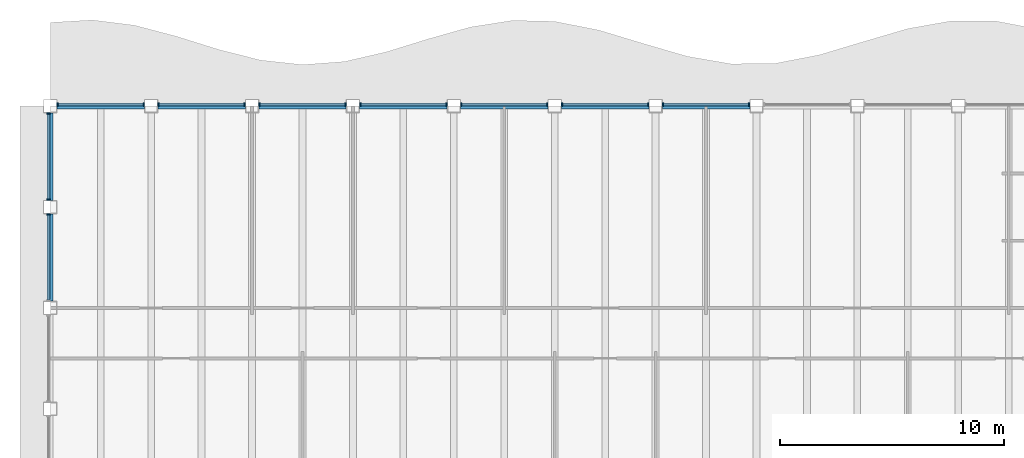
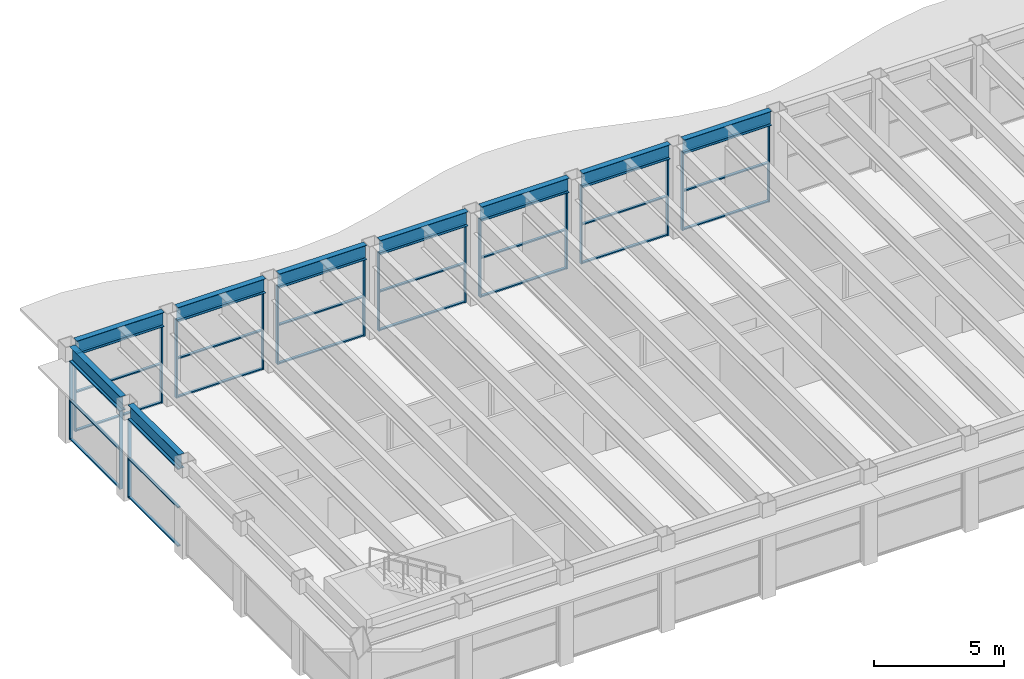
# One storey, part 4 of 15: 44 members, 9 beams, 9 elements without a shape of their own.
"""IFC4 building model written with IfcOpenShell, lengths in metres."""

from ifc_helpers import new_model, si_unit, direction, frame, origin, origin_2d, place, context, subcontext, project, spatial, rectangle, i_section, extrude, material, material_profile, profile_set, type_object, element, aggregate, save


model = new_model("IFC4")

# Units and contexts
model_context = context("Model", 3, precision=1e-05, world=origin(), true_north=direction((0.0, 1.0)))
body_context = subcontext(model_context, "Body", "Model", "MODEL_VIEW")
ifc_project = project(units=[si_unit("LENGTHUNIT", "METRE"), si_unit("AREAUNIT", "SQUARE_METRE"), si_unit("VOLUMEUNIT", "CUBIC_METRE"), si_unit("PLANEANGLEUNIT", "RADIAN"), si_unit("MASSUNIT", "GRAM", prefix="KILO")], contexts=[model_context])

# Site, building, storey
site_placement = place(None, origin())
site = spatial("IfcSite", under=ifc_project, at=site_placement, CompositionType="ELEMENT")
building_placement = place(site_placement, origin())
building = spatial("IfcBuilding", under=site, at=building_placement, Name="Sennacour Bend Tower", CompositionType="ELEMENT")
storey_placement = place(building_placement, frame((0.0, 0.0, 318.5)))
storey = spatial("IfcBuildingStorey", under=building, at=storey_placement, Name="L73", CompositionType="ELEMENT", Elevation=318.5)

# Curtain wall, members
ifc_material_1 = material(Name="Bronze anodised aluminium curtain wall with clear glass", Category="aluminium")
curtain_wall_type = type_object("IfcCurtainWallType", Name="CURTAIN WALL EXEC", PredefinedType="NOTDEFINED", material=ifc_material_1)
curtain_wall_1_placement = place(storey_placement, origin())
curtain_wall_1 = element("IfcCurtainWall", 1, at=curtain_wall_1_placement, inside=storey, type_object=curtain_wall_type, Name="Executive floor glass wall L73", PredefinedType="NOTDEFINED")
ifc_material_2 = material(Name="Aluminium 6063-T6", Category="aluminium")
ifc_material_profile_1 = material_profile(ifc_material_2, rectangle(XDim=0.14990234375, YDim=0.06005859375, at=origin_2d()), Name="Aluminium 6063-T6", Category="aluminium")
ifc_profile_set_1 = profile_set([ifc_material_profile_1], Name="Aluminium 6063-T6")
member_type_1 = type_object("IfcMemberType", Name="CW-MULLION-150X60", PredefinedType="MULLION", material=ifc_profile_set_1)
member_1_placement = place(storey_placement, frame((31.169921875, 22.574951171875, 0.0), z_axis=(0.0, 0.0, 1.0), x_axis=(0.0, -1.0, 0.0)))
member_1 = element("IfcMember", 2, at=member_1_placement, type_object=member_type_1, Name="GW3 curtain wall mullion 1", PredefinedType="MULLION", context=body_context, shape_type="SweptSolid", body=[
    extrude(rectangle(XDim=0.14990234375, YDim=0.06005859375, at=origin_2d()), origin(), (0.0, 0.0, 1.0), 3.672119140625),
])
member_2_placement = place(storey_placement, frame((27.330078125, 22.574951171875, 0.0), z_axis=(0.0, 0.0, 1.0), x_axis=(0.0, -1.0, 0.0)))
member_2 = element("IfcMember", 3, at=member_2_placement, type_object=member_type_1, Name="GW3 curtain wall mullion 2", PredefinedType="MULLION", context=body_context, shape_type="SweptSolid", body=[
    extrude(rectangle(XDim=0.14990234375, YDim=0.06005859375, at=origin_2d()), origin(), (0.0, 0.0, 1.0), 3.672119140625),
])

curtain_wall_2_placement = place(storey_placement, origin())
curtain_wall_2 = element("IfcCurtainWall", 4, at=curtain_wall_2_placement, inside=storey, type_object=curtain_wall_type, Name="Executive floor glass wall L73", PredefinedType="NOTDEFINED")
member_3_placement = place(storey_placement, frame((26.669921875, 22.574951171875, 0.0), z_axis=(0.0, 0.0, 1.0), x_axis=(0.0, -1.0, 0.0)))
member_3 = element("IfcMember", 5, at=member_3_placement, type_object=member_type_1, Name="GW3 curtain wall mullion 1", PredefinedType="MULLION", context=body_context, shape_type="SweptSolid", body=[
    extrude(rectangle(XDim=0.14990234375, YDim=0.06005859375, at=origin_2d()), origin(), (0.0, 0.0, 1.0), 3.672119140625),
])
member_4_placement = place(storey_placement, frame((22.830078125, 22.574951171875, 0.0), z_axis=(0.0, 0.0, 1.0), x_axis=(0.0, -1.0, 0.0)))
member_4 = element("IfcMember", 6, at=member_4_placement, type_object=member_type_1, Name="GW3 curtain wall mullion 2", PredefinedType="MULLION", context=body_context, shape_type="SweptSolid", body=[
    extrude(rectangle(XDim=0.14990234375, YDim=0.06005859375, at=origin_2d()), origin(), (0.0, 0.0, 1.0), 3.672119140625),
])

curtain_wall_3_placement = place(storey_placement, origin())
curtain_wall_3 = element("IfcCurtainWall", 7, at=curtain_wall_3_placement, inside=storey, type_object=curtain_wall_type, Name="Executive floor glass wall L73", PredefinedType="NOTDEFINED")
member_5_placement = place(storey_placement, frame((22.169921875, 22.574951171875, 0.0), z_axis=(0.0, 0.0, 1.0), x_axis=(0.0, -1.0, 0.0)))
member_5 = element("IfcMember", 8, at=member_5_placement, type_object=member_type_1, Name="GW3 curtain wall mullion 1", PredefinedType="MULLION", context=body_context, shape_type="SweptSolid", body=[
    extrude(rectangle(XDim=0.14990234375, YDim=0.06005859375, at=origin_2d()), origin(), (0.0, 0.0, 1.0), 3.672119140625),
])
member_6_placement = place(storey_placement, frame((18.330078125, 22.574951171875, 0.0), z_axis=(0.0, 0.0, 1.0), x_axis=(0.0, -1.0, 0.0)))
member_6 = element("IfcMember", 9, at=member_6_placement, type_object=member_type_1, Name="GW3 curtain wall mullion 2", PredefinedType="MULLION", context=body_context, shape_type="SweptSolid", body=[
    extrude(rectangle(XDim=0.14990234375, YDim=0.06005859375, at=origin_2d()), origin(), (0.0, 0.0, 1.0), 3.672119140625),
])

curtain_wall_4_placement = place(storey_placement, origin())
curtain_wall_4 = element("IfcCurtainWall", 10, at=curtain_wall_4_placement, inside=storey, type_object=curtain_wall_type, Name="Executive floor glass wall L73", PredefinedType="NOTDEFINED")
member_7_placement = place(storey_placement, frame((17.669921875, 22.574951171875, 0.0), z_axis=(0.0, 0.0, 1.0), x_axis=(0.0, -1.0, 0.0)))
member_7 = element("IfcMember", 11, at=member_7_placement, type_object=member_type_1, Name="GW3 curtain wall mullion 1", PredefinedType="MULLION", context=body_context, shape_type="SweptSolid", body=[
    extrude(rectangle(XDim=0.14990234375, YDim=0.06005859375, at=origin_2d()), origin(), (0.0, 0.0, 1.0), 3.672119140625),
])
member_8_placement = place(storey_placement, frame((13.830078125, 22.574951171875, 0.0), z_axis=(0.0, 0.0, 1.0), x_axis=(0.0, -1.0, 0.0)))
member_8 = element("IfcMember", 12, at=member_8_placement, type_object=member_type_1, Name="GW3 curtain wall mullion 2", PredefinedType="MULLION", context=body_context, shape_type="SweptSolid", body=[
    extrude(rectangle(XDim=0.14990234375, YDim=0.06005859375, at=origin_2d()), origin(), (0.0, 0.0, 1.0), 3.672119140625),
])

curtain_wall_5_placement = place(storey_placement, origin())
curtain_wall_5 = element("IfcCurtainWall", 13, at=curtain_wall_5_placement, inside=storey, type_object=curtain_wall_type, Name="Executive floor glass wall L73", PredefinedType="NOTDEFINED")
member_9_placement = place(storey_placement, frame((13.169921875, 22.574951171875, 0.0), z_axis=(0.0, 0.0, 1.0), x_axis=(0.0, -1.0, 0.0)))
member_9 = element("IfcMember", 14, at=member_9_placement, type_object=member_type_1, Name="GW3 curtain wall mullion 1", PredefinedType="MULLION", context=body_context, shape_type="SweptSolid", body=[
    extrude(rectangle(XDim=0.14990234375, YDim=0.06005859375, at=origin_2d()), origin(), (0.0, 0.0, 1.0), 3.672119140625),
])
member_10_placement = place(storey_placement, frame((9.330078125, 22.574951171875, 0.0), z_axis=(0.0, 0.0, 1.0), x_axis=(0.0, -1.0, 0.0)))
member_10 = element("IfcMember", 15, at=member_10_placement, type_object=member_type_1, Name="GW3 curtain wall mullion 2", PredefinedType="MULLION", context=body_context, shape_type="SweptSolid", body=[
    extrude(rectangle(XDim=0.14990234375, YDim=0.06005859375, at=origin_2d()), origin(), (0.0, 0.0, 1.0), 3.672119140625),
])

curtain_wall_6_placement = place(storey_placement, origin())
curtain_wall_6 = element("IfcCurtainWall", 16, at=curtain_wall_6_placement, inside=storey, type_object=curtain_wall_type, Name="Executive floor glass wall L73", PredefinedType="NOTDEFINED")
member_11_placement = place(storey_placement, frame((8.669921875, 22.574951171875, 0.0), z_axis=(0.0, 0.0, 1.0), x_axis=(0.0, -1.0, 0.0)))
member_11 = element("IfcMember", 17, at=member_11_placement, type_object=member_type_1, Name="GW3 curtain wall mullion 1", PredefinedType="MULLION", context=body_context, shape_type="SweptSolid", body=[
    extrude(rectangle(XDim=0.14990234375, YDim=0.06005859375, at=origin_2d()), origin(), (0.0, 0.0, 1.0), 3.672119140625),
])
member_12_placement = place(storey_placement, frame((4.830078125, 22.574951171875, 0.0), z_axis=(0.0, 0.0, 1.0), x_axis=(0.0, -1.0, 0.0)))
member_12 = element("IfcMember", 18, at=member_12_placement, type_object=member_type_1, Name="GW3 curtain wall mullion 2", PredefinedType="MULLION", context=body_context, shape_type="SweptSolid", body=[
    extrude(rectangle(XDim=0.14990234375, YDim=0.06005859375, at=origin_2d()), origin(), (0.0, 0.0, 1.0), 3.672119140625),
])

curtain_wall_7_placement = place(storey_placement, origin())
curtain_wall_7 = element("IfcCurtainWall", 19, at=curtain_wall_7_placement, inside=storey, type_object=curtain_wall_type, Name="Executive floor glass wall L73", PredefinedType="NOTDEFINED")
member_13_placement = place(storey_placement, frame((4.169921875, 22.574951171875, 0.0), z_axis=(0.0, 0.0, 1.0), x_axis=(0.0, -1.0, 0.0)))
member_13 = element("IfcMember", 20, at=member_13_placement, type_object=member_type_1, Name="GW3 curtain wall mullion 1", PredefinedType="MULLION", context=body_context, shape_type="SweptSolid", body=[
    extrude(rectangle(XDim=0.14990234375, YDim=0.06005859375, at=origin_2d()), origin(), (0.0, 0.0, 1.0), 3.672119140625),
])
member_14_placement = place(storey_placement, frame((0.330078125, 22.574951171875, 0.0), z_axis=(0.0, 0.0, 1.0), x_axis=(0.0, -1.0, 0.0)))
member_14 = element("IfcMember", 21, at=member_14_placement, type_object=member_type_1, Name="GW3 curtain wall mullion 2", PredefinedType="MULLION", context=body_context, shape_type="SweptSolid", body=[
    extrude(rectangle(XDim=0.14990234375, YDim=0.06005859375, at=origin_2d()), origin(), (0.0, 0.0, 1.0), 3.672119140625),
])

curtain_wall_8_placement = place(storey_placement, origin())
curtain_wall_8 = element("IfcCurtainWall", 22, at=curtain_wall_8_placement, inside=storey, type_object=curtain_wall_type, Name="Executive floor glass wall L73", PredefinedType="NOTDEFINED")
member_15_placement = place(storey_placement, frame((-0.074951171875, 22.169921875, 0.0), z_axis=(0.0, 0.0, 1.0), x_axis=(1.0, 0.0, 0.0)))
member_15 = element("IfcMember", 23, at=member_15_placement, type_object=member_type_1, Name="GW3 curtain wall mullion 1", PredefinedType="MULLION", context=body_context, shape_type="SweptSolid", body=[
    extrude(rectangle(XDim=0.14990234375, YDim=0.06005859375, at=origin_2d()), origin(), (0.0, 0.0, 1.0), 3.672119140625),
])
member_16_placement = place(storey_placement, frame((-0.074951171875, 18.330078125, 0.0), z_axis=(0.0, 0.0, 1.0), x_axis=(1.0, 0.0, 0.0)))
member_16 = element("IfcMember", 24, at=member_16_placement, type_object=member_type_1, Name="GW3 curtain wall mullion 2", PredefinedType="MULLION", context=body_context, shape_type="SweptSolid", body=[
    extrude(rectangle(XDim=0.14990234375, YDim=0.06005859375, at=origin_2d()), origin(), (0.0, 0.0, 1.0), 3.672119140625),
])

# Curtain wall, member
curtain_wall_9_placement = place(storey_placement, origin())
curtain_wall_9 = element("IfcCurtainWall", 25, at=curtain_wall_9_placement, inside=storey, type_object=curtain_wall_type, Name="Executive floor glass wall L73", PredefinedType="NOTDEFINED")
member_17_placement = place(storey_placement, frame((-0.074951171875, 17.669921875, 0.0), z_axis=(0.0, 0.0, 1.0), x_axis=(1.0, 0.0, 0.0)))
member_17 = element("IfcMember", 26, at=member_17_placement, type_object=member_type_1, Name="GW3 curtain wall mullion 1", PredefinedType="MULLION", context=body_context, shape_type="SweptSolid", body=[
    extrude(rectangle(XDim=0.14990234375, YDim=0.06005859375, at=origin_2d()), origin(), (0.0, 0.0, 1.0), 3.672119140625),
])

# Member
ifc_material_profile_2 = material_profile(ifc_material_2, rectangle(XDim=0.1201171875, YDim=0.06005859375, at=origin_2d()), Name="Aluminium 6063-T6", Category="aluminium")
ifc_profile_set_2 = profile_set([ifc_material_profile_2], Name="Aluminium 6063-T6")
member_type_2 = type_object("IfcMemberType", Name="CW-TRANSOM-120X60", PredefinedType="USERDEFINED", material=ifc_profile_set_2)
member_18_placement = place(storey_placement, frame((31.139892578125, 22.574951171875, 0.030029296875), z_axis=(-1.0, 0.0, 0.0), x_axis=(0.0, -1.0, 0.0)))
member_18 = element("IfcMember", 27, at=member_18_placement, type_object=member_type_2, Name="GW3 curtain wall transom 1.1", ObjectType="TRANSOM", PredefinedType="USERDEFINED", context=body_context, shape_type="SweptSolid", body=[
    extrude(rectangle(XDim=0.1201171875, YDim=0.06005859375, at=origin_2d()), origin(), (0.0, 0.0, 1.0), 3.77978515625),
])

member_19_placement = place(storey_placement, frame((31.139892578125, 22.574951171875, 1.8359375), z_axis=(-1.0, 0.0, 0.0), x_axis=(0.0, -1.0, 0.0)))
member_19 = element("IfcMember", 28, at=member_19_placement, type_object=member_type_2, Name="GW3 curtain wall transom 1.2", ObjectType="TRANSOM", PredefinedType="USERDEFINED", context=body_context, shape_type="SweptSolid", body=[
    extrude(rectangle(XDim=0.1201171875, YDim=0.06005859375, at=origin_2d()), origin(), (0.0, 0.0, 1.0), 3.77978515625),
])

member_20_placement = place(storey_placement, frame((31.139892578125, 22.574951171875, 3.64208984375), z_axis=(-1.0, 0.0, 0.0), x_axis=(0.0, -1.0, 0.0)))
member_20 = element("IfcMember", 29, at=member_20_placement, type_object=member_type_2, Name="GW3 curtain wall transom 1.3", ObjectType="TRANSOM", PredefinedType="USERDEFINED", context=body_context, shape_type="SweptSolid", body=[
    extrude(rectangle(XDim=0.1201171875, YDim=0.06005859375, at=origin_2d()), origin(), (0.0, 0.0, 1.0), 3.77978515625),
])

aggregate(curtain_wall_1, [member_1, member_2, member_18, member_19, member_20])

member_21_placement = place(storey_placement, frame((26.639892578125, 22.574951171875, 0.030029296875), z_axis=(-1.0, 0.0, 0.0), x_axis=(0.0, -1.0, 0.0)))
member_21 = element("IfcMember", 30, at=member_21_placement, type_object=member_type_2, Name="GW3 curtain wall transom 1.1", ObjectType="TRANSOM", PredefinedType="USERDEFINED", context=body_context, shape_type="SweptSolid", body=[
    extrude(rectangle(XDim=0.1201171875, YDim=0.06005859375, at=origin_2d()), origin(), (0.0, 0.0, 1.0), 3.77978515625),
])

member_22_placement = place(storey_placement, frame((26.639892578125, 22.574951171875, 1.8359375), z_axis=(-1.0, 0.0, 0.0), x_axis=(0.0, -1.0, 0.0)))
member_22 = element("IfcMember", 31, at=member_22_placement, type_object=member_type_2, Name="GW3 curtain wall transom 1.2", ObjectType="TRANSOM", PredefinedType="USERDEFINED", context=body_context, shape_type="SweptSolid", body=[
    extrude(rectangle(XDim=0.1201171875, YDim=0.06005859375, at=origin_2d()), origin(), (0.0, 0.0, 1.0), 3.77978515625),
])

member_23_placement = place(storey_placement, frame((26.639892578125, 22.574951171875, 3.64208984375), z_axis=(-1.0, 0.0, 0.0), x_axis=(0.0, -1.0, 0.0)))
member_23 = element("IfcMember", 32, at=member_23_placement, type_object=member_type_2, Name="GW3 curtain wall transom 1.3", ObjectType="TRANSOM", PredefinedType="USERDEFINED", context=body_context, shape_type="SweptSolid", body=[
    extrude(rectangle(XDim=0.1201171875, YDim=0.06005859375, at=origin_2d()), origin(), (0.0, 0.0, 1.0), 3.77978515625),
])

aggregate(curtain_wall_2, [member_3, member_4, member_21, member_22, member_23])

member_24_placement = place(storey_placement, frame((22.139892578125, 22.574951171875, 0.030029296875), z_axis=(-1.0, 0.0, 0.0), x_axis=(0.0, -1.0, 0.0)))
member_24 = element("IfcMember", 33, at=member_24_placement, type_object=member_type_2, Name="GW3 curtain wall transom 1.1", ObjectType="TRANSOM", PredefinedType="USERDEFINED", context=body_context, shape_type="SweptSolid", body=[
    extrude(rectangle(XDim=0.1201171875, YDim=0.06005859375, at=origin_2d()), origin(), (0.0, 0.0, 1.0), 3.77978515625),
])

member_25_placement = place(storey_placement, frame((22.139892578125, 22.574951171875, 1.8359375), z_axis=(-1.0, 0.0, 0.0), x_axis=(0.0, -1.0, 0.0)))
member_25 = element("IfcMember", 34, at=member_25_placement, type_object=member_type_2, Name="GW3 curtain wall transom 1.2", ObjectType="TRANSOM", PredefinedType="USERDEFINED", context=body_context, shape_type="SweptSolid", body=[
    extrude(rectangle(XDim=0.1201171875, YDim=0.06005859375, at=origin_2d()), origin(), (0.0, 0.0, 1.0), 3.77978515625),
])

member_26_placement = place(storey_placement, frame((22.139892578125, 22.574951171875, 3.64208984375), z_axis=(-1.0, 0.0, 0.0), x_axis=(0.0, -1.0, 0.0)))
member_26 = element("IfcMember", 35, at=member_26_placement, type_object=member_type_2, Name="GW3 curtain wall transom 1.3", ObjectType="TRANSOM", PredefinedType="USERDEFINED", context=body_context, shape_type="SweptSolid", body=[
    extrude(rectangle(XDim=0.1201171875, YDim=0.06005859375, at=origin_2d()), origin(), (0.0, 0.0, 1.0), 3.77978515625),
])

aggregate(curtain_wall_3, [member_5, member_6, member_24, member_25, member_26])

member_27_placement = place(storey_placement, frame((17.639892578125, 22.574951171875, 0.030029296875), z_axis=(-1.0, 0.0, 0.0), x_axis=(0.0, -1.0, 0.0)))
member_27 = element("IfcMember", 36, at=member_27_placement, type_object=member_type_2, Name="GW3 curtain wall transom 1.1", ObjectType="TRANSOM", PredefinedType="USERDEFINED", context=body_context, shape_type="SweptSolid", body=[
    extrude(rectangle(XDim=0.1201171875, YDim=0.06005859375, at=origin_2d()), origin(), (0.0, 0.0, 1.0), 3.77978515625),
])

member_28_placement = place(storey_placement, frame((17.639892578125, 22.574951171875, 1.8359375), z_axis=(-1.0, 0.0, 0.0), x_axis=(0.0, -1.0, 0.0)))
member_28 = element("IfcMember", 37, at=member_28_placement, type_object=member_type_2, Name="GW3 curtain wall transom 1.2", ObjectType="TRANSOM", PredefinedType="USERDEFINED", context=body_context, shape_type="SweptSolid", body=[
    extrude(rectangle(XDim=0.1201171875, YDim=0.06005859375, at=origin_2d()), origin(), (0.0, 0.0, 1.0), 3.77978515625),
])

member_29_placement = place(storey_placement, frame((17.639892578125, 22.574951171875, 3.64208984375), z_axis=(-1.0, 0.0, 0.0), x_axis=(0.0, -1.0, 0.0)))
member_29 = element("IfcMember", 38, at=member_29_placement, type_object=member_type_2, Name="GW3 curtain wall transom 1.3", ObjectType="TRANSOM", PredefinedType="USERDEFINED", context=body_context, shape_type="SweptSolid", body=[
    extrude(rectangle(XDim=0.1201171875, YDim=0.06005859375, at=origin_2d()), origin(), (0.0, 0.0, 1.0), 3.77978515625),
])

aggregate(curtain_wall_4, [member_7, member_8, member_27, member_28, member_29])

member_30_placement = place(storey_placement, frame((13.139892578125, 22.574951171875, 0.030029296875), z_axis=(-1.0, 0.0, 0.0), x_axis=(0.0, -1.0, 0.0)))
member_30 = element("IfcMember", 39, at=member_30_placement, type_object=member_type_2, Name="GW3 curtain wall transom 1.1", ObjectType="TRANSOM", PredefinedType="USERDEFINED", context=body_context, shape_type="SweptSolid", body=[
    extrude(rectangle(XDim=0.1201171875, YDim=0.06005859375, at=origin_2d()), origin(), (0.0, 0.0, 1.0), 3.77978515625),
])

member_31_placement = place(storey_placement, frame((13.139892578125, 22.574951171875, 1.8359375), z_axis=(-1.0, 0.0, 0.0), x_axis=(0.0, -1.0, 0.0)))
member_31 = element("IfcMember", 40, at=member_31_placement, type_object=member_type_2, Name="GW3 curtain wall transom 1.2", ObjectType="TRANSOM", PredefinedType="USERDEFINED", context=body_context, shape_type="SweptSolid", body=[
    extrude(rectangle(XDim=0.1201171875, YDim=0.06005859375, at=origin_2d()), origin(), (0.0, 0.0, 1.0), 3.77978515625),
])

member_32_placement = place(storey_placement, frame((13.139892578125, 22.574951171875, 3.64208984375), z_axis=(-1.0, 0.0, 0.0), x_axis=(0.0, -1.0, 0.0)))
member_32 = element("IfcMember", 41, at=member_32_placement, type_object=member_type_2, Name="GW3 curtain wall transom 1.3", ObjectType="TRANSOM", PredefinedType="USERDEFINED", context=body_context, shape_type="SweptSolid", body=[
    extrude(rectangle(XDim=0.1201171875, YDim=0.06005859375, at=origin_2d()), origin(), (0.0, 0.0, 1.0), 3.77978515625),
])

aggregate(curtain_wall_5, [member_9, member_10, member_30, member_31, member_32])

member_33_placement = place(storey_placement, frame((8.639892578125, 22.574951171875, 0.030029296875), z_axis=(-1.0, 0.0, 0.0), x_axis=(0.0, -1.0, 0.0)))
member_33 = element("IfcMember", 42, at=member_33_placement, type_object=member_type_2, Name="GW3 curtain wall transom 1.1", ObjectType="TRANSOM", PredefinedType="USERDEFINED", context=body_context, shape_type="SweptSolid", body=[
    extrude(rectangle(XDim=0.1201171875, YDim=0.06005859375, at=origin_2d()), origin(), (0.0, 0.0, 1.0), 3.77978515625),
])

member_34_placement = place(storey_placement, frame((8.639892578125, 22.574951171875, 1.8359375), z_axis=(-1.0, 0.0, 0.0), x_axis=(0.0, -1.0, 0.0)))
member_34 = element("IfcMember", 43, at=member_34_placement, type_object=member_type_2, Name="GW3 curtain wall transom 1.2", ObjectType="TRANSOM", PredefinedType="USERDEFINED", context=body_context, shape_type="SweptSolid", body=[
    extrude(rectangle(XDim=0.1201171875, YDim=0.06005859375, at=origin_2d()), origin(), (0.0, 0.0, 1.0), 3.77978515625),
])

member_35_placement = place(storey_placement, frame((8.639892578125, 22.574951171875, 3.64208984375), z_axis=(-1.0, 0.0, 0.0), x_axis=(0.0, -1.0, 0.0)))
member_35 = element("IfcMember", 44, at=member_35_placement, type_object=member_type_2, Name="GW3 curtain wall transom 1.3", ObjectType="TRANSOM", PredefinedType="USERDEFINED", context=body_context, shape_type="SweptSolid", body=[
    extrude(rectangle(XDim=0.1201171875, YDim=0.06005859375, at=origin_2d()), origin(), (0.0, 0.0, 1.0), 3.77978515625),
])

aggregate(curtain_wall_6, [member_11, member_12, member_33, member_34, member_35])

member_36_placement = place(storey_placement, frame((4.139892578125, 22.574951171875, 0.030029296875), z_axis=(-1.0, 0.0, 0.0), x_axis=(0.0, -1.0, 0.0)))
member_36 = element("IfcMember", 45, at=member_36_placement, type_object=member_type_2, Name="GW3 curtain wall transom 1.1", ObjectType="TRANSOM", PredefinedType="USERDEFINED", context=body_context, shape_type="SweptSolid", body=[
    extrude(rectangle(XDim=0.1201171875, YDim=0.06005859375, at=origin_2d()), origin(), (0.0, 0.0, 1.0), 3.77978515625),
])

member_37_placement = place(storey_placement, frame((4.139892578125, 22.574951171875, 1.8359375), z_axis=(-1.0, 0.0, 0.0), x_axis=(0.0, -1.0, 0.0)))
member_37 = element("IfcMember", 46, at=member_37_placement, type_object=member_type_2, Name="GW3 curtain wall transom 1.2", ObjectType="TRANSOM", PredefinedType="USERDEFINED", context=body_context, shape_type="SweptSolid", body=[
    extrude(rectangle(XDim=0.1201171875, YDim=0.06005859375, at=origin_2d()), origin(), (0.0, 0.0, 1.0), 3.77978515625),
])

member_38_placement = place(storey_placement, frame((4.139892578125, 22.574951171875, 3.64208984375), z_axis=(-1.0, 0.0, 0.0), x_axis=(0.0, -1.0, 0.0)))
member_38 = element("IfcMember", 47, at=member_38_placement, type_object=member_type_2, Name="GW3 curtain wall transom 1.3", ObjectType="TRANSOM", PredefinedType="USERDEFINED", context=body_context, shape_type="SweptSolid", body=[
    extrude(rectangle(XDim=0.1201171875, YDim=0.06005859375, at=origin_2d()), origin(), (0.0, 0.0, 1.0), 3.77978515625),
])

aggregate(curtain_wall_7, [member_13, member_14, member_36, member_37, member_38])

member_39_placement = place(storey_placement, frame((-0.074951171875, 22.139892578125, 0.030029296875), z_axis=(0.0, -1.0, 0.0), x_axis=(1.0, 0.0, 0.0)))
member_39 = element("IfcMember", 48, at=member_39_placement, type_object=member_type_2, Name="GW3 curtain wall transom 1.1", ObjectType="TRANSOM", PredefinedType="USERDEFINED", context=body_context, shape_type="SweptSolid", body=[
    extrude(rectangle(XDim=0.1201171875, YDim=0.06005859375, at=origin_2d()), origin(), (0.0, 0.0, 1.0), 3.77978515625),
])

member_40_placement = place(storey_placement, frame((-0.074951171875, 22.139892578125, 1.8359375), z_axis=(0.0, -1.0, 0.0), x_axis=(1.0, 0.0, 0.0)))
member_40 = element("IfcMember", 49, at=member_40_placement, type_object=member_type_2, Name="GW3 curtain wall transom 1.2", ObjectType="TRANSOM", PredefinedType="USERDEFINED", context=body_context, shape_type="SweptSolid", body=[
    extrude(rectangle(XDim=0.1201171875, YDim=0.06005859375, at=origin_2d()), origin(), (0.0, 0.0, 1.0), 3.77978515625),
])

member_41_placement = place(storey_placement, frame((-0.074951171875, 22.139892578125, 3.64208984375), z_axis=(0.0, -1.0, 0.0), x_axis=(1.0, 0.0, 0.0)))
member_41 = element("IfcMember", 50, at=member_41_placement, type_object=member_type_2, Name="GW3 curtain wall transom 1.3", ObjectType="TRANSOM", PredefinedType="USERDEFINED", context=body_context, shape_type="SweptSolid", body=[
    extrude(rectangle(XDim=0.1201171875, YDim=0.06005859375, at=origin_2d()), origin(), (0.0, 0.0, 1.0), 3.77978515625),
])

aggregate(curtain_wall_8, [member_15, member_16, member_39, member_40, member_41])

member_42_placement = place(storey_placement, frame((-0.074951171875, 17.639892578125, 0.030029296875), z_axis=(0.0, -1.0, 0.0), x_axis=(1.0, 0.0, 0.0)))
member_42 = element("IfcMember", 51, at=member_42_placement, type_object=member_type_2, Name="GW3 curtain wall transom 1.1", ObjectType="TRANSOM", PredefinedType="USERDEFINED", context=body_context, shape_type="SweptSolid", body=[
    extrude(rectangle(XDim=0.1201171875, YDim=0.06005859375, at=origin_2d()), origin(), (0.0, 0.0, 1.0), 3.77978515625),
])

member_43_placement = place(storey_placement, frame((-0.074951171875, 17.639892578125, 1.8359375), z_axis=(0.0, -1.0, 0.0), x_axis=(1.0, 0.0, 0.0)))
member_43 = element("IfcMember", 52, at=member_43_placement, type_object=member_type_2, Name="GW3 curtain wall transom 1.2", ObjectType="TRANSOM", PredefinedType="USERDEFINED", context=body_context, shape_type="SweptSolid", body=[
    extrude(rectangle(XDim=0.1201171875, YDim=0.06005859375, at=origin_2d()), origin(), (0.0, 0.0, 1.0), 3.77978515625),
])

member_44_placement = place(storey_placement, frame((-0.074951171875, 17.639892578125, 3.64208984375), z_axis=(0.0, -1.0, 0.0), x_axis=(1.0, 0.0, 0.0)))
member_44 = element("IfcMember", 53, at=member_44_placement, type_object=member_type_2, Name="GW3 curtain wall transom 1.3", ObjectType="TRANSOM", PredefinedType="USERDEFINED", context=body_context, shape_type="SweptSolid", body=[
    extrude(rectangle(XDim=0.1201171875, YDim=0.06005859375, at=origin_2d()), origin(), (0.0, 0.0, 1.0), 3.77978515625),
])

aggregate(curtain_wall_9, [member_17, member_42, member_43, member_44])

# Beams
ifc_material_3 = material(Name="Steel ASTM A992 Grade 50", Category="steel")
ifc_material_profile_3 = material_profile(ifc_material_3, i_section(OverallWidth=0.25390625, OverallDepth=0.677978515625, WebThickness=0.01171875, FlangeThickness=0.016357421875, FilletRadius=0.01513671875, at=origin_2d()), Name="Steel ASTM A992 Grade 50", Category="steel")
ifc_profile_set_3 = profile_set([ifc_material_profile_3], Name="Steel ASTM A992 Grade 50")
beam_type = type_object("IfcBeamType", Name="Spandrel beam W690X125", PredefinedType="SPANDREL", material=ifc_profile_set_3)
for number, where, z_axis, x_axis, name in (
    (54, (0.0, 13.800048828125, 4.010986328125), (0.0, 1.0, 0.0), (-1.0, 0.0, 0.0), "Spandrel beam SP7 L74-004"),
    (55, (0.0, 18.300048828125, 4.010986328125), (0.0, 1.0, 0.0), (-1.0, 0.0, 0.0), "Spandrel beam SP7 L74-005"),
    (56, (0.300048828125, 22.5, 4.010986328125), (1.0, 0.0, 0.0), (0.0, 1.0, 0.0), "Spandrel beam SP7 L74-006"),
    (57, (4.800048828125, 22.5, 4.010986328125), (1.0, 0.0, 0.0), (0.0, 1.0, 0.0), "Spandrel beam SP7 L74-007"),
    (58, (9.300048828125, 22.5, 4.010986328125), (1.0, 0.0, 0.0), (0.0, 1.0, 0.0), "Spandrel beam SP7 L74-008"),
    (59, (13.800048828125, 22.5, 4.010986328125), (1.0, 0.0, 0.0), (0.0, 1.0, 0.0), "Spandrel beam SP7 L74-009"),
    (60, (18.300048828125, 22.5, 4.010986328125), (1.0, 0.0, 0.0), (0.0, 1.0, 0.0), "Spandrel beam SP7 L74-010"),
    (61, (22.800048828125, 22.5, 4.010986328125), (1.0, 0.0, 0.0), (0.0, 1.0, 0.0), "Spandrel beam SP7 L74-011"),
    (62, (27.300048828125, 22.5, 4.010986328125), (1.0, 0.0, 0.0), (0.0, 1.0, 0.0), "Spandrel beam SP7 L74-012"),
):
    element("IfcBeam", number, at=place(storey_placement, frame(where, z_axis=z_axis, x_axis=x_axis)), inside=storey, type_object=beam_type, Name=name, PredefinedType="SPANDREL", context=body_context, shape_type="SweptSolid", body=[
        extrude(i_section(OverallWidth=0.25390625, OverallDepth=0.677978515625, WebThickness=0.01171875, FlangeThickness=0.016357421875, FilletRadius=0.01513671875, at=origin_2d()), origin(), (0.0, 0.0, 1.0), 3.89990234375),
    ])

save(model, "model.ifc")
